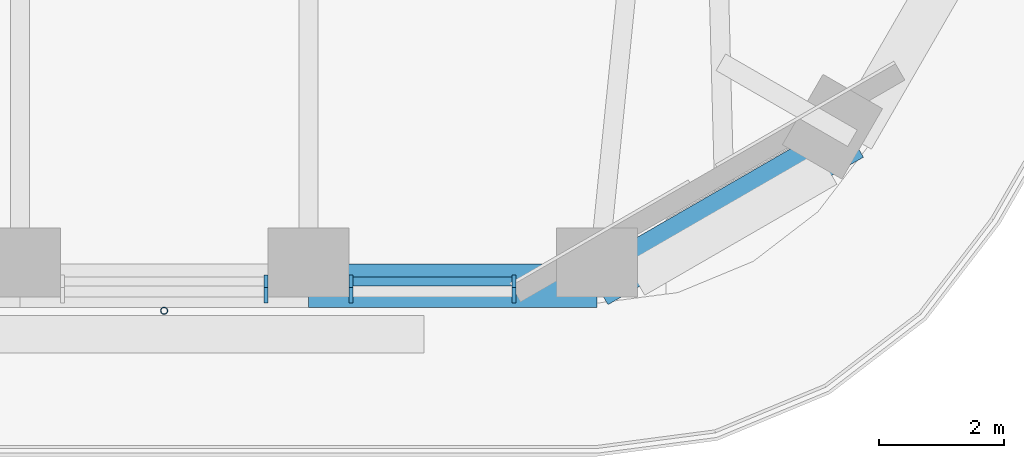
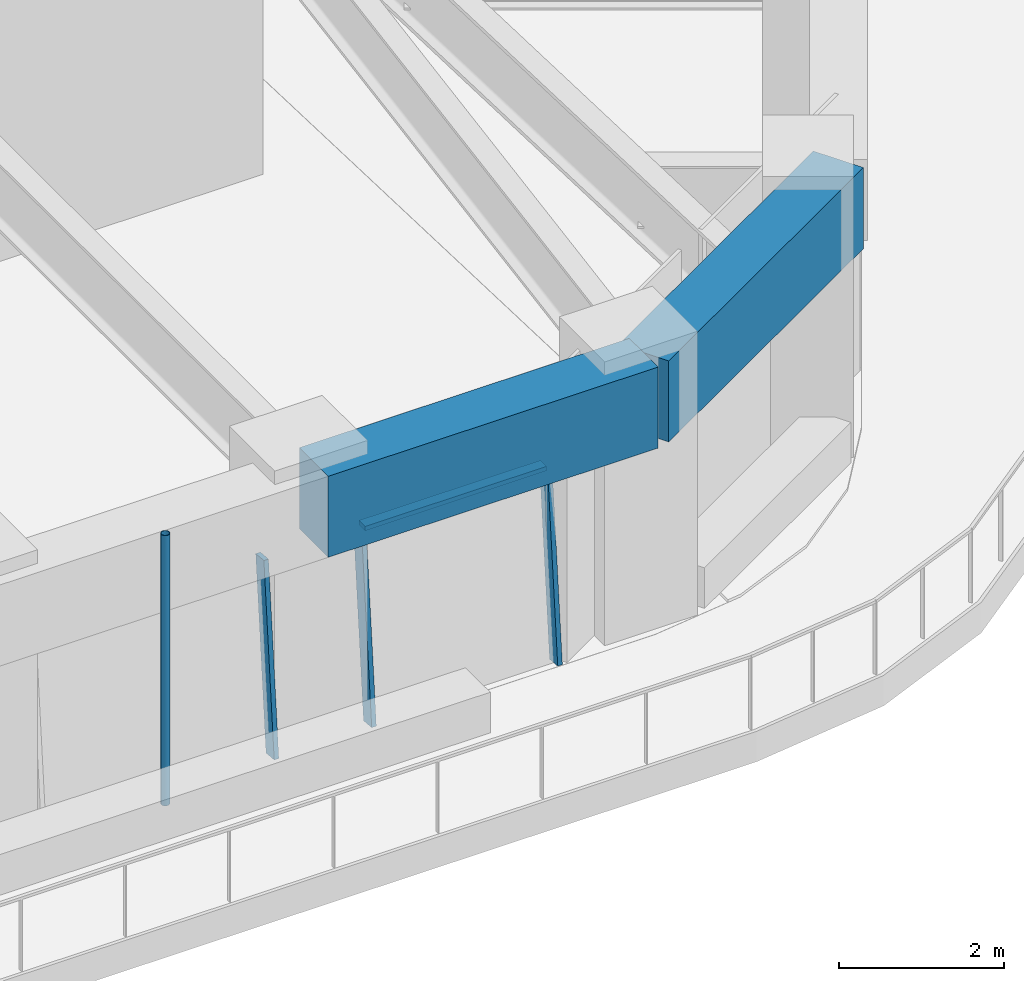
# One storey, part 4 of 20: 5 members, 2 beams, 2 elements without a shape of their own.
"""IFC4 building model written with IfcOpenShell, lengths in metres."""

from ifc_helpers import new_model, si_unit, direction, frame, origin, origin_2d, place, context, subcontext, project, spatial, rectangle, hollow_circle, extrude, material, material_profile, profile_set, type_object, element, aggregate, save


model = new_model("IFC4")

# Units and contexts
model_context = context("Model", 3, precision=1e-05, world=origin(), true_north=direction((0.0, 1.0)))
body_context = subcontext(model_context, "Body", "Model", "MODEL_VIEW")
ifc_project = project(units=[si_unit("LENGTHUNIT", "METRE"), si_unit("AREAUNIT", "SQUARE_METRE"), si_unit("VOLUMEUNIT", "CUBIC_METRE"), si_unit("PLANEANGLEUNIT", "RADIAN"), si_unit("MASSUNIT", "GRAM", prefix="KILO")], contexts=[model_context])

# Site, building, storey
site_placement = place(None, origin())
site = spatial("IfcSite", under=ifc_project, at=site_placement, CompositionType="ELEMENT")
building_placement = place(site_placement, origin())
building = spatial("IfcBuilding", under=site, at=building_placement, Name="Tarfa Lantern Tower", CompositionType="ELEMENT")
storey_placement = place(building_placement, frame((0.0, 0.0, 240.699951171875)))
storey = spatial("IfcBuildingStorey", under=building, at=storey_placement, Name="L54", CompositionType="ELEMENT", Elevation=240.699951171875)

# Curtain wall, member
ifc_material_1 = material(Name="Aluminium framed curtain wall", Category="aluminium")
curtain_wall_type = type_object("IfcCurtainWallType", Name="CW3 CANTED GLAZING HIGH ZONE 2800", PredefinedType="USERDEFINED", material=ifc_material_1)
curtain_wall_1_placement = place(storey_placement, origin())
curtain_wall_1 = element("IfcCurtainWall", 1, at=curtain_wall_1_placement, inside=storey, type_object=curtain_wall_type, Name="CW3 S L54", ObjectType="CURTAIN WALL", PredefinedType="USERDEFINED")
ifc_material_2 = material(Name="Aluminium mullion", Category="aluminium")
ifc_material_profile_1 = material_profile(ifc_material_2, rectangle(XDim=0.06494140625, YDim=0.199951171875, at=origin_2d()), Name="AL MULLION 65x200")
ifc_profile_set_1 = profile_set([ifc_material_profile_1], Name="Aluminium mullion")
member_type_1 = type_object("IfcMemberType", Name="CWM1 MULLION 65x200", PredefinedType="MULLION", material=ifc_profile_set_1)
member_1_placement = place(storey_placement, frame((8.55517578125, -28.89990234375, 0.0), z_axis=(0.0, 0.088930399417, 0.996037842685), x_axis=(-1.0, 0.0, 0.0)))
member_1 = element("IfcMember", 2, at=member_1_placement, type_object=member_type_1, Name="CW3 mullion 2", PredefinedType="MULLION", context=body_context, shape_type="SweptSolid", body=[
    extrude(rectangle(XDim=0.06494140625, YDim=0.199951171875, at=origin_2d()), origin(), (0.0, 0.0, 1.0), 2.811279296875),
])
aggregate(curtain_wall_1, [member_1])

# Curtain wall, members
curtain_wall_2_placement = place(storey_placement, origin())
curtain_wall_2 = element("IfcCurtainWall", 3, at=curtain_wall_2_placement, inside=storey, type_object=curtain_wall_type, Name="CW3 S L54", ObjectType="CURTAIN WALL", PredefinedType="USERDEFINED")
member_2_placement = place(storey_placement, frame((9.920166015625, -28.89990234375, 0.0), z_axis=(0.0, 0.088930399417, 0.996037842685), x_axis=(-1.0, 0.0, 0.0)))
member_2 = element("IfcMember", 4, at=member_2_placement, type_object=member_type_1, Name="CW3 mullion 1", PredefinedType="MULLION", context=body_context, shape_type="SweptSolid", body=[
    extrude(rectangle(XDim=0.06494140625, YDim=0.199951171875, at=origin_2d()), origin(), (0.0, 0.0, 1.0), 2.811279296875),
])
member_3_placement = place(storey_placement, frame((12.52392578125, -28.89990234375, 0.0), z_axis=(0.0, 0.088930399417, 0.996037842685), x_axis=(-1.0, 0.0, 0.0)))
member_3 = element("IfcMember", 5, at=member_3_placement, type_object=member_type_1, Name="CW3 mullion 2", PredefinedType="MULLION", context=body_context, shape_type="SweptSolid", body=[
    extrude(rectangle(XDim=0.06494140625, YDim=0.199951171875, at=origin_2d()), origin(), (0.0, 0.0, 1.0), 2.811279296875),
])
ifc_material_3 = material(Name="Aluminium transom", Category="aluminium")
ifc_material_profile_2 = material_profile(ifc_material_3, rectangle(XDim=0.14990234375, YDim=0.06494140625, at=origin_2d()), Name="AL TRANSOM 150x65")
ifc_profile_set_2 = profile_set([ifc_material_profile_2], Name="Aluminium transom")
member_type_2 = type_object("IfcMemberType", Name="CWT1 TRANSOM 150x65", PredefinedType="USERDEFINED", material=ifc_profile_set_2)
member_4_placement = place(storey_placement, frame((9.95263671875, -28.65283203125, 2.767578125), z_axis=(1.0, 0.0, 0.0), x_axis=(0.0, 1.0, 0.0)))
member_4 = element("IfcMember", 6, at=member_4_placement, type_object=member_type_2, Name="CW3 transom 1.2", ObjectType="TRANSOM", PredefinedType="USERDEFINED", context=body_context, shape_type="SweptSolid", body=[
    extrude(rectangle(XDim=0.14990234375, YDim=0.06494140625, at=origin_2d()), origin(), (0.0, 0.0, 1.0), 2.538818359375),
])
aggregate(curtain_wall_2, [member_2, member_3, member_4])

# Beams
ifc_material_4 = material(Name="Concrete C80/95", Category="concrete")
ifc_material_profile_3 = material_profile(ifc_material_4, rectangle(XDim=0.699951171875, YDim=1.199951171875, at=origin_2d()), Name="RC 700x1200")
ifc_profile_set_3 = profile_set([ifc_material_profile_3], Name="Concrete C80/95")
beam_type = type_object("IfcBeamType", Name="EB3 RC 700x1200", PredefinedType="SPANDREL", material=ifc_profile_set_3)
beam_1_placement = place(storey_placement, frame((9.237548828125, -28.719970703125, 3.400146484375), z_axis=(1.0, 0.0, 0.0), x_axis=(0.0, 1.0, 0.0)))
element("IfcBeam", 7, at=beam_1_placement, inside=storey, type_object=beam_type, Name="Edge beam S5", PredefinedType="SPANDREL", context=body_context, shape_type="SweptSolid", body=[
    extrude(rectangle(XDim=0.699951171875, YDim=1.199951171875, at=origin_2d()), origin(), (0.0, 0.0, 1.0), 4.618896484375),
])
beam_2_placement = place(storey_placement, frame((13.8564453125, -28.719970703125, 3.400146484375), z_axis=(0.866038294681, 0.499977671647, 0.0), x_axis=(-0.499977671647, 0.866038294681, 0.0)))
element("IfcBeam", 8, at=beam_2_placement, inside=storey, type_object=beam_type, Name="Edge beam S6", PredefinedType="SPANDREL", context=body_context, shape_type="SweptSolid", body=[
    extrude(rectangle(XDim=0.699951171875, YDim=1.199951171875, at=origin_2d()), origin(), (0.0, 0.0, 1.0), 4.719970703125),
])

# Member
ifc_material_5 = material(Name="Steel S355", Category="steel")
ifc_material_profile_4 = material_profile(ifc_material_5, hollow_circle(Radius=0.05712890625, WallThickness=0.00634765625, at=origin_2d()), Name="CHS114.3x6.3")
ifc_profile_set_4 = profile_set([ifc_material_profile_4], Name="Steel S355")
member_type_3 = type_object("IfcMemberType", Name="TR1 GREEN WALL TRELLIS CHS114.3x6.3", PredefinedType="USERDEFINED", material=ifc_profile_set_4)
member_5_placement = place(storey_placement, frame((6.92822265625, -29.1201171875, 0.0), z_axis=(0.0, 0.0, 1.0), x_axis=(1.0, 0.0, 0.0)))
element("IfcMember", 9, at=member_5_placement, inside=storey, type_object=member_type_3, Name="Trellis post S 2", ObjectType="TRELLIS", PredefinedType="USERDEFINED", context=body_context, shape_type="SweptSolid", body=[
    extrude(hollow_circle(Radius=0.05712890625, WallThickness=0.00634765625, at=origin_2d()), origin(), (0.0, 0.0, 1.0), 4.0),
])

save(model, "model.ifc")
